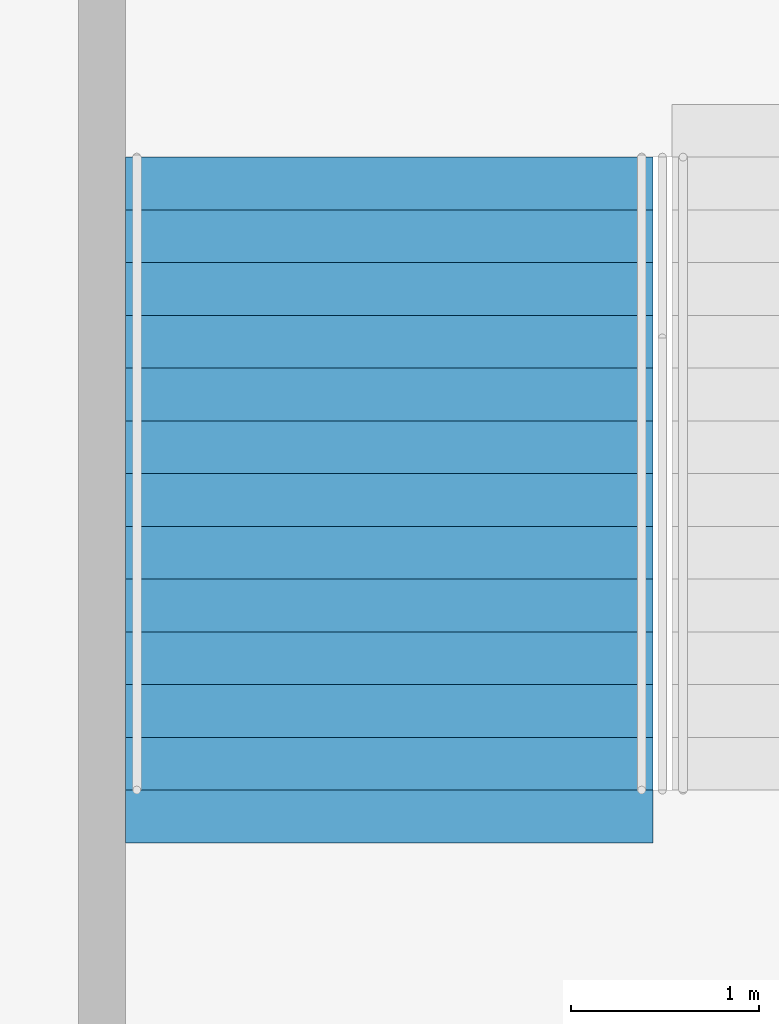
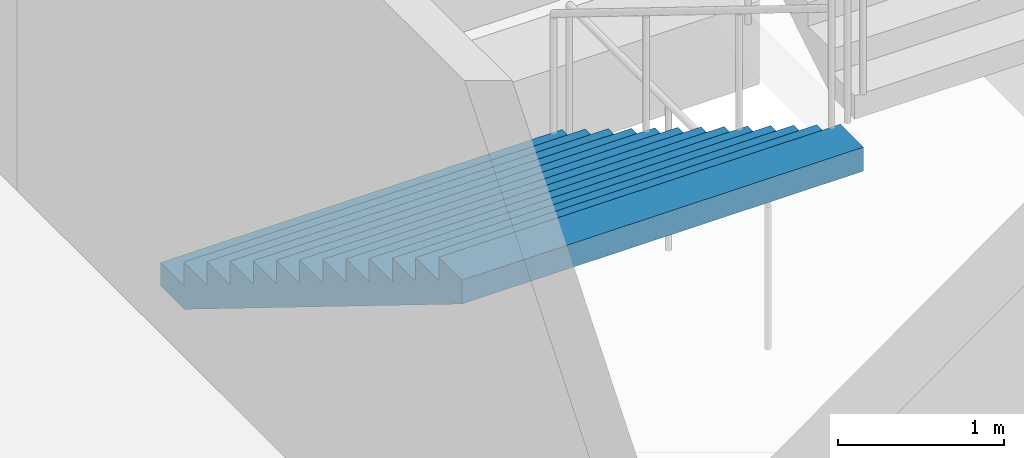
# One storey, part 120 of 199: 1 stair flight, 1 element without a shape of its own.
"""IFC4 building model written with IfcOpenShell, lengths in metres."""

from ifc_helpers import new_model, si_unit, direction, frame, origin, place, context, subcontext, project, spatial, faceted_brep, material, type_object, element, aggregate, save


model = new_model("IFC4")

# Units and contexts
model_context = context("Model", 3, precision=1e-05, world=origin(), true_north=direction((0.0, 1.0)))
body_context = subcontext(model_context, "Body", "Model", "MODEL_VIEW")
ifc_project = project(units=[si_unit("LENGTHUNIT", "METRE"), si_unit("AREAUNIT", "SQUARE_METRE"), si_unit("VOLUMEUNIT", "CUBIC_METRE"), si_unit("PLANEANGLEUNIT", "RADIAN"), si_unit("MASSUNIT", "GRAM", prefix="KILO")], contexts=[model_context])

# Site, building, storey
site_placement = place(None, origin())
site = spatial("IfcSite", under=ifc_project, at=site_placement, CompositionType="ELEMENT")
building_placement = place(site_placement, origin())
building = spatial("IfcBuilding", under=site, at=building_placement, Name="Ogive Plaza Stadium", CompositionType="ELEMENT")
storey_placement = place(building_placement, frame((0.0, 0.0, 4.5)))
storey = spatial("IfcBuildingStorey", under=building, at=storey_placement, Name="L01", CompositionType="ELEMENT", Elevation=4.5)

# Stair, stair flight
ifc_material_1 = material(Name="Concrete C40/50", Category="concrete")
stair_type = type_object("IfcStairType", Name="Exit stair", PredefinedType="STRAIGHT_RUN_STAIR", material=ifc_material_1)
stair_placement = place(storey_placement, origin())
stair = element("IfcStair", 1, at=stair_placement, inside=storey, type_object=stair_type, Name="Exit stair ST14A L01 to L02", PredefinedType="STRAIGHT_RUN_STAIR")
ifc_material_2 = material(Name="Concrete C40/50", Category="concrete")
stair_flight_type = type_object("IfcStairFlightType", Name="Exit stair flight", PredefinedType="STRAIGHT", material=ifc_material_2)
stair_flight_placement = place(storey_placement, frame((2.375, -94.85009765625, 0.0), z_axis=(0.0, 0.0, 1.0), x_axis=(0.0, -1.0, 0.0)))
stair_flight = element("IfcStairFlight", 2, at=stair_flight_placement, type_object=stair_flight_type, Name="ST14A flight 1", NumberOfRisers=13, NumberOfTreads=12, PredefinedType="STRAIGHT", RiserHeight=0.173076923, TreadLength=0.28, context=body_context, shape_type="Brep", body=[
    faceted_brep([(0.28515625, -1.39990234375, 0.0), (3.639892578125, -1.39990234375, 2.07373046875), (3.639892578125, -1.39990234375, 2.25), (3.360107421875, -1.39990234375, 2.25), (3.360107421875, -1.39990234375, 2.076904296875), (3.080078125, -1.39990234375, 2.076904296875), (3.080078125, -1.39990234375, 1.90380859375), (2.800048828125, -1.39990234375, 1.90380859375), (2.800048828125, -1.39990234375, 1.730712890625), (2.52001953125, -1.39990234375, 1.730712890625), (2.52001953125, -1.39990234375, 1.5576171875), (2.239990234375, -1.39990234375, 1.5576171875), (2.239990234375, -1.39990234375, 1.384521484375), (1.9599609375, -1.39990234375, 1.384521484375), (1.9599609375, -1.39990234375, 1.21142578125), (1.679931640625, -1.39990234375, 1.21142578125), (1.679931640625, -1.39990234375, 1.03857421875), (1.39990234375, -1.39990234375, 1.03857421875), (1.39990234375, -1.39990234375, 0.865478515625), (1.1201171875, -1.39990234375, 0.865478515625), (1.1201171875, -1.39990234375, 0.6923828125), (0.840087890625, -1.39990234375, 0.6923828125), (0.840087890625, -1.39990234375, 0.519287109375), (0.56005859375, -1.39990234375, 0.519287109375), (0.56005859375, -1.39990234375, 0.34619140625), (0.280029296875, -1.39990234375, 0.34619140625), (0.280029296875, -1.39990234375, 0.173095703125), (0.0, -1.39990234375, 0.173095703125), (0.0, -1.39990234375, 0.0), (0.0, 1.39990234375, 0.0), (0.0, 1.39990234375, 0.173095703125), (0.280029296875, 1.39990234375, 0.173095703125), (0.280029296875, 1.39990234375, 0.34619140625), (0.56005859375, 1.39990234375, 0.34619140625), (0.56005859375, 1.39990234375, 0.519287109375), (0.840087890625, 1.39990234375, 0.519287109375), (0.840087890625, 1.39990234375, 0.6923828125), (1.1201171875, 1.39990234375, 0.6923828125), (1.1201171875, 1.39990234375, 0.865478515625), (1.39990234375, 1.39990234375, 0.865478515625), (1.39990234375, 1.39990234375, 1.03857421875), (1.679931640625, 1.39990234375, 1.03857421875), (1.679931640625, 1.39990234375, 1.21142578125), (1.9599609375, 1.39990234375, 1.21142578125), (1.9599609375, 1.39990234375, 1.384521484375), (2.239990234375, 1.39990234375, 1.384521484375), (2.239990234375, 1.39990234375, 1.5576171875), (2.52001953125, 1.39990234375, 1.5576171875), (2.52001953125, 1.39990234375, 1.730712890625), (2.800048828125, 1.39990234375, 1.730712890625), (2.800048828125, 1.39990234375, 1.90380859375), (3.080078125, 1.39990234375, 1.90380859375), (3.080078125, 1.39990234375, 2.076904296875), (3.360107421875, 1.39990234375, 2.076904296875), (3.360107421875, 1.39990234375, 2.25), (3.639892578125, 1.39990234375, 2.25), (3.639892578125, 1.39990234375, 2.07373046875), (0.28515625, 1.39990234375, 0.0), (0.28515625, -1.0888671875, 0.0), (3.639892578125, -1.0888671875, 2.07373046875), (0.28515625, -0.77783203125, 0.0), (3.639892578125, -0.77783203125, 2.07373046875), (0.28515625, -0.466796875, 0.0), (3.639892578125, -0.466796875, 2.07373046875), (0.28515625, -0.155517578125, 0.0), (3.639892578125, -0.155517578125, 2.07373046875), (0.28515625, 0.155517578125, 0.0), (3.639892578125, 0.155517578125, 2.07373046875), (0.28515625, 0.466796875, 0.0), (3.639892578125, 0.466796875, 2.07373046875), (0.28515625, 0.77783203125, 0.0), (3.639892578125, 0.77783203125, 2.07373046875), (0.28515625, 1.0888671875, 0.0), (3.639892578125, 1.0888671875, 2.07373046875), (3.639892578125, -1.0888671875, 2.25), (3.639892578125, -0.77783203125, 2.25), (3.639892578125, -0.466796875, 2.25), (3.639892578125, -0.155517578125, 2.25), (3.639892578125, 0.155517578125, 2.25), (3.639892578125, 0.466796875, 2.25), (3.639892578125, 0.77783203125, 2.25), (3.639892578125, 1.0888671875, 2.25), (3.360107421875, -1.0888671875, 2.25), (3.360107421875, -0.77783203125, 2.25), (3.360107421875, -0.466796875, 2.25), (3.360107421875, -0.155517578125, 2.25), (3.360107421875, 0.155517578125, 2.25), (3.360107421875, 0.466796875, 2.25), (3.360107421875, 0.77783203125, 2.25), (3.360107421875, 1.0888671875, 2.25), (3.360107421875, -1.0888671875, 2.076904296875), (3.360107421875, -0.77783203125, 2.076904296875), (3.360107421875, -0.466796875, 2.076904296875), (3.360107421875, -0.155517578125, 2.076904296875), (3.360107421875, 0.155517578125, 2.076904296875), (3.360107421875, 0.466796875, 2.076904296875), (3.360107421875, 0.77783203125, 2.076904296875), (3.360107421875, 1.0888671875, 2.076904296875), (3.080078125, -1.0888671875, 2.076904296875), (3.080078125, -0.77783203125, 2.076904296875), (3.080078125, -0.466796875, 2.076904296875), (3.080078125, -0.155517578125, 2.076904296875), (3.080078125, 0.155517578125, 2.076904296875), (3.080078125, 0.466796875, 2.076904296875), (3.080078125, 0.77783203125, 2.076904296875), (3.080078125, 1.0888671875, 2.076904296875), (3.080078125, -1.0888671875, 1.90380859375), (3.080078125, -0.77783203125, 1.90380859375), (3.080078125, -0.466796875, 1.90380859375), (3.080078125, -0.155517578125, 1.90380859375), (3.080078125, 0.155517578125, 1.90380859375), (3.080078125, 0.466796875, 1.90380859375), (3.080078125, 0.77783203125, 1.90380859375), (3.080078125, 1.0888671875, 1.90380859375), (2.800048828125, -1.0888671875, 1.90380859375), (2.800048828125, -0.77783203125, 1.90380859375), (2.800048828125, -0.466796875, 1.90380859375), (2.800048828125, -0.155517578125, 1.90380859375), (2.800048828125, 0.155517578125, 1.90380859375), (2.800048828125, 0.466796875, 1.90380859375), (2.800048828125, 0.77783203125, 1.90380859375), (2.800048828125, 1.0888671875, 1.90380859375), (2.800048828125, -1.0888671875, 1.730712890625), (2.800048828125, -0.77783203125, 1.730712890625), (2.800048828125, -0.466796875, 1.730712890625), (2.800048828125, -0.155517578125, 1.730712890625), (2.800048828125, 0.155517578125, 1.730712890625), (2.800048828125, 0.466796875, 1.730712890625), (2.800048828125, 0.77783203125, 1.730712890625), (2.800048828125, 1.0888671875, 1.730712890625), (2.52001953125, -1.0888671875, 1.730712890625), (2.52001953125, -0.77783203125, 1.730712890625), (2.52001953125, -0.466796875, 1.730712890625), (2.52001953125, -0.155517578125, 1.730712890625), (2.52001953125, 0.155517578125, 1.730712890625), (2.52001953125, 0.466796875, 1.730712890625), (2.52001953125, 0.77783203125, 1.730712890625), (2.52001953125, 1.0888671875, 1.730712890625), (2.52001953125, -1.0888671875, 1.5576171875), (2.52001953125, -0.77783203125, 1.5576171875), (2.52001953125, -0.466796875, 1.5576171875), (2.52001953125, -0.155517578125, 1.5576171875), (2.52001953125, 0.155517578125, 1.5576171875), (2.52001953125, 0.466796875, 1.5576171875), (2.52001953125, 0.77783203125, 1.5576171875), (2.52001953125, 1.0888671875, 1.5576171875), (2.239990234375, -1.0888671875, 1.5576171875), (2.239990234375, -0.77783203125, 1.5576171875), (2.239990234375, -0.466796875, 1.5576171875), (2.239990234375, -0.155517578125, 1.5576171875), (2.239990234375, 0.155517578125, 1.5576171875), (2.239990234375, 0.466796875, 1.5576171875), (2.239990234375, 0.77783203125, 1.5576171875), (2.239990234375, 1.0888671875, 1.5576171875), (2.239990234375, -1.0888671875, 1.384521484375), (2.239990234375, -0.77783203125, 1.384521484375), (2.239990234375, -0.466796875, 1.384521484375), (2.239990234375, -0.155517578125, 1.384521484375), (2.239990234375, 0.155517578125, 1.384521484375), (2.239990234375, 0.466796875, 1.384521484375), (2.239990234375, 0.77783203125, 1.384521484375), (2.239990234375, 1.0888671875, 1.384521484375), (1.9599609375, -1.0888671875, 1.384521484375), (1.9599609375, -0.77783203125, 1.384521484375), (1.9599609375, -0.466796875, 1.384521484375), (1.9599609375, -0.155517578125, 1.384521484375), (1.9599609375, 0.155517578125, 1.384521484375), (1.9599609375, 0.466796875, 1.384521484375), (1.9599609375, 0.77783203125, 1.384521484375), (1.9599609375, 1.0888671875, 1.384521484375), (1.9599609375, -1.0888671875, 1.21142578125), (1.9599609375, -0.77783203125, 1.21142578125), (1.9599609375, -0.466796875, 1.21142578125), (1.9599609375, -0.155517578125, 1.21142578125), (1.9599609375, 0.155517578125, 1.21142578125), (1.9599609375, 0.466796875, 1.21142578125), (1.9599609375, 0.77783203125, 1.21142578125), (1.9599609375, 1.0888671875, 1.21142578125), (1.679931640625, -1.0888671875, 1.21142578125), (1.679931640625, -0.77783203125, 1.21142578125), (1.679931640625, -0.466796875, 1.21142578125), (1.679931640625, -0.155517578125, 1.21142578125), (1.679931640625, 0.155517578125, 1.21142578125), (1.679931640625, 0.466796875, 1.21142578125), (1.679931640625, 0.77783203125, 1.21142578125), (1.679931640625, 1.0888671875, 1.21142578125), (1.679931640625, -1.0888671875, 1.03857421875), (1.679931640625, -0.77783203125, 1.03857421875), (1.679931640625, -0.466796875, 1.03857421875), (1.679931640625, -0.155517578125, 1.03857421875), (1.679931640625, 0.155517578125, 1.03857421875), (1.679931640625, 0.466796875, 1.03857421875), (1.679931640625, 0.77783203125, 1.03857421875), (1.679931640625, 1.0888671875, 1.03857421875), (1.39990234375, -1.0888671875, 1.03857421875), (1.39990234375, -0.77783203125, 1.03857421875), (1.39990234375, -0.466796875, 1.03857421875), (1.39990234375, -0.155517578125, 1.03857421875), (1.39990234375, 0.155517578125, 1.03857421875), (1.39990234375, 0.466796875, 1.03857421875), (1.39990234375, 0.77783203125, 1.03857421875), (1.39990234375, 1.0888671875, 1.03857421875), (1.39990234375, -1.0888671875, 0.865478515625), (1.39990234375, -0.77783203125, 0.865478515625), (1.39990234375, -0.466796875, 0.865478515625), (1.39990234375, -0.155517578125, 0.865478515625), (1.39990234375, 0.155517578125, 0.865478515625), (1.39990234375, 0.466796875, 0.865478515625), (1.39990234375, 0.77783203125, 0.865478515625), (1.39990234375, 1.0888671875, 0.865478515625), (1.1201171875, -1.0888671875, 0.865478515625), (1.1201171875, -0.77783203125, 0.865478515625), (1.1201171875, -0.466796875, 0.865478515625), (1.1201171875, -0.155517578125, 0.865478515625), (1.1201171875, 0.155517578125, 0.865478515625), (1.1201171875, 0.466796875, 0.865478515625), (1.1201171875, 0.77783203125, 0.865478515625), (1.1201171875, 1.0888671875, 0.865478515625), (1.1201171875, -1.0888671875, 0.6923828125), (1.1201171875, -0.77783203125, 0.6923828125), (1.1201171875, -0.466796875, 0.6923828125), (1.1201171875, -0.155517578125, 0.6923828125), (1.1201171875, 0.155517578125, 0.6923828125), (1.1201171875, 0.466796875, 0.6923828125), (1.1201171875, 0.77783203125, 0.6923828125), (1.1201171875, 1.0888671875, 0.6923828125), (0.840087890625, -1.0888671875, 0.6923828125), (0.840087890625, -0.77783203125, 0.6923828125), (0.840087890625, -0.466796875, 0.6923828125), (0.840087890625, -0.155517578125, 0.6923828125), (0.840087890625, 0.155517578125, 0.6923828125), (0.840087890625, 0.466796875, 0.6923828125), (0.840087890625, 0.77783203125, 0.6923828125), (0.840087890625, 1.0888671875, 0.6923828125), (0.840087890625, -1.0888671875, 0.519287109375), (0.840087890625, -0.77783203125, 0.519287109375), (0.840087890625, -0.466796875, 0.519287109375), (0.840087890625, -0.155517578125, 0.519287109375), (0.840087890625, 0.155517578125, 0.519287109375), (0.840087890625, 0.466796875, 0.519287109375), (0.840087890625, 0.77783203125, 0.519287109375), (0.840087890625, 1.0888671875, 0.519287109375), (0.56005859375, -1.0888671875, 0.519287109375), (0.56005859375, -0.77783203125, 0.519287109375), (0.56005859375, -0.466796875, 0.519287109375), (0.56005859375, -0.155517578125, 0.519287109375), (0.56005859375, 0.155517578125, 0.519287109375), (0.56005859375, 0.466796875, 0.519287109375), (0.56005859375, 0.77783203125, 0.519287109375), (0.56005859375, 1.0888671875, 0.519287109375), (0.56005859375, -1.0888671875, 0.34619140625), (0.56005859375, -0.77783203125, 0.34619140625), (0.56005859375, -0.466796875, 0.34619140625), (0.56005859375, -0.155517578125, 0.34619140625), (0.56005859375, 0.155517578125, 0.34619140625), (0.56005859375, 0.466796875, 0.34619140625), (0.56005859375, 0.77783203125, 0.34619140625), (0.56005859375, 1.0888671875, 0.34619140625), (0.280029296875, -1.0888671875, 0.34619140625), (0.280029296875, -0.77783203125, 0.34619140625), (0.280029296875, -0.466796875, 0.34619140625), (0.280029296875, -0.155517578125, 0.34619140625), (0.280029296875, 0.155517578125, 0.34619140625), (0.280029296875, 0.466796875, 0.34619140625), (0.280029296875, 0.77783203125, 0.34619140625), (0.280029296875, 1.0888671875, 0.34619140625), (0.280029296875, -1.0888671875, 0.173095703125), (0.280029296875, -0.77783203125, 0.173095703125), (0.280029296875, -0.466796875, 0.173095703125), (0.280029296875, -0.155517578125, 0.173095703125), (0.280029296875, 0.155517578125, 0.173095703125), (0.280029296875, 0.466796875, 0.173095703125), (0.280029296875, 0.77783203125, 0.173095703125), (0.280029296875, 1.0888671875, 0.173095703125), (0.0, -1.0888671875, 0.173095703125), (0.0, -0.77783203125, 0.173095703125), (0.0, -0.466796875, 0.173095703125), (0.0, -0.155517578125, 0.173095703125), (0.0, 0.155517578125, 0.173095703125), (0.0, 0.466796875, 0.173095703125), (0.0, 0.77783203125, 0.173095703125), (0.0, 1.0888671875, 0.173095703125), (0.0, -1.0888671875, 0.0), (0.0, -0.77783203125, 0.0), (0.0, -0.466796875, 0.0), (0.0, -0.155517578125, 0.0), (0.0, 0.155517578125, 0.0), (0.0, 0.466796875, 0.0), (0.0, 0.77783203125, 0.0), (0.0, 1.0888671875, 0.0)], [[[0, 1, 2, 3, 4, 5, 6, 7, 8, 9, 10, 11, 12, 13, 14, 15, 16, 17, 18, 19, 20, 21, 22, 23, 24, 25, 26, 27, 28]], [[29, 30, 31, 32, 33, 34, 35, 36, 37, 38, 39, 40, 41, 42, 43, 44, 45, 46, 47, 48, 49, 50, 51, 52, 53, 54, 55, 56, 57]], [[0, 58, 59, 1]], [[58, 60, 61, 59]], [[60, 62, 63, 61]], [[62, 64, 65, 63]], [[64, 66, 67, 65]], [[66, 68, 69, 67]], [[68, 70, 71, 69]], [[70, 72, 73, 71]], [[72, 57, 56, 73]], [[1, 59, 74, 2]], [[59, 61, 75, 74]], [[61, 63, 76, 75]], [[63, 65, 77, 76]], [[65, 67, 78, 77]], [[67, 69, 79, 78]], [[69, 71, 80, 79]], [[71, 73, 81, 80]], [[73, 56, 55, 81]], [[2, 74, 82, 3]], [[74, 75, 83, 82]], [[75, 76, 84, 83]], [[76, 77, 85, 84]], [[77, 78, 86, 85]], [[78, 79, 87, 86]], [[79, 80, 88, 87]], [[80, 81, 89, 88]], [[81, 55, 54, 89]], [[3, 82, 90, 4]], [[82, 83, 91, 90]], [[83, 84, 92, 91]], [[84, 85, 93, 92]], [[85, 86, 94, 93]], [[86, 87, 95, 94]], [[87, 88, 96, 95]], [[88, 89, 97, 96]], [[89, 54, 53, 97]], [[4, 90, 98, 5]], [[90, 91, 99, 98]], [[91, 92, 100, 99]], [[92, 93, 101, 100]], [[93, 94, 102, 101]], [[94, 95, 103, 102]], [[95, 96, 104, 103]], [[96, 97, 105, 104]], [[97, 53, 52, 105]], [[5, 98, 106, 6]], [[98, 99, 107, 106]], [[99, 100, 108, 107]], [[100, 101, 109, 108]], [[101, 102, 110, 109]], [[102, 103, 111, 110]], [[103, 104, 112, 111]], [[104, 105, 113, 112]], [[105, 52, 51, 113]], [[6, 106, 114, 7]], [[106, 107, 115, 114]], [[107, 108, 116, 115]], [[108, 109, 117, 116]], [[109, 110, 118, 117]], [[110, 111, 119, 118]], [[111, 112, 120, 119]], [[112, 113, 121, 120]], [[113, 51, 50, 121]], [[7, 114, 122, 8]], [[114, 115, 123, 122]], [[115, 116, 124, 123]], [[116, 117, 125, 124]], [[117, 118, 126, 125]], [[118, 119, 127, 126]], [[119, 120, 128, 127]], [[120, 121, 129, 128]], [[121, 50, 49, 129]], [[8, 122, 130, 9]], [[122, 123, 131, 130]], [[123, 124, 132, 131]], [[124, 125, 133, 132]], [[125, 126, 134, 133]], [[126, 127, 135, 134]], [[127, 128, 136, 135]], [[128, 129, 137, 136]], [[129, 49, 48, 137]], [[9, 130, 138, 10]], [[130, 131, 139, 138]], [[131, 132, 140, 139]], [[132, 133, 141, 140]], [[133, 134, 142, 141]], [[134, 135, 143, 142]], [[135, 136, 144, 143]], [[136, 137, 145, 144]], [[137, 48, 47, 145]], [[10, 138, 146, 11]], [[138, 139, 147, 146]], [[139, 140, 148, 147]], [[140, 141, 149, 148]], [[141, 142, 150, 149]], [[142, 143, 151, 150]], [[143, 144, 152, 151]], [[144, 145, 153, 152]], [[145, 47, 46, 153]], [[11, 146, 154, 12]], [[146, 147, 155, 154]], [[147, 148, 156, 155]], [[148, 149, 157, 156]], [[149, 150, 158, 157]], [[150, 151, 159, 158]], [[151, 152, 160, 159]], [[152, 153, 161, 160]], [[153, 46, 45, 161]], [[12, 154, 162, 13]], [[154, 155, 163, 162]], [[155, 156, 164, 163]], [[156, 157, 165, 164]], [[157, 158, 166, 165]], [[158, 159, 167, 166]], [[159, 160, 168, 167]], [[160, 161, 169, 168]], [[161, 45, 44, 169]], [[13, 162, 170, 14]], [[162, 163, 171, 170]], [[163, 164, 172, 171]], [[164, 165, 173, 172]], [[165, 166, 174, 173]], [[166, 167, 175, 174]], [[167, 168, 176, 175]], [[168, 169, 177, 176]], [[169, 44, 43, 177]], [[14, 170, 178, 15]], [[170, 171, 179, 178]], [[171, 172, 180, 179]], [[172, 173, 181, 180]], [[173, 174, 182, 181]], [[174, 175, 183, 182]], [[175, 176, 184, 183]], [[176, 177, 185, 184]], [[177, 43, 42, 185]], [[15, 178, 186, 16]], [[178, 179, 187, 186]], [[179, 180, 188, 187]], [[180, 181, 189, 188]], [[181, 182, 190, 189]], [[182, 183, 191, 190]], [[183, 184, 192, 191]], [[184, 185, 193, 192]], [[185, 42, 41, 193]], [[16, 186, 194, 17]], [[186, 187, 195, 194]], [[187, 188, 196, 195]], [[188, 189, 197, 196]], [[189, 190, 198, 197]], [[190, 191, 199, 198]], [[191, 192, 200, 199]], [[192, 193, 201, 200]], [[193, 41, 40, 201]], [[17, 194, 202, 18]], [[194, 195, 203, 202]], [[195, 196, 204, 203]], [[196, 197, 205, 204]], [[197, 198, 206, 205]], [[198, 199, 207, 206]], [[199, 200, 208, 207]], [[200, 201, 209, 208]], [[201, 40, 39, 209]], [[18, 202, 210, 19]], [[202, 203, 211, 210]], [[203, 204, 212, 211]], [[204, 205, 213, 212]], [[205, 206, 214, 213]], [[206, 207, 215, 214]], [[207, 208, 216, 215]], [[208, 209, 217, 216]], [[209, 39, 38, 217]], [[19, 210, 218, 20]], [[210, 211, 219, 218]], [[211, 212, 220, 219]], [[212, 213, 221, 220]], [[213, 214, 222, 221]], [[214, 215, 223, 222]], [[215, 216, 224, 223]], [[216, 217, 225, 224]], [[217, 38, 37, 225]], [[20, 218, 226, 21]], [[218, 219, 227, 226]], [[219, 220, 228, 227]], [[220, 221, 229, 228]], [[221, 222, 230, 229]], [[222, 223, 231, 230]], [[223, 224, 232, 231]], [[224, 225, 233, 232]], [[225, 37, 36, 233]], [[21, 226, 234, 22]], [[226, 227, 235, 234]], [[227, 228, 236, 235]], [[228, 229, 237, 236]], [[229, 230, 238, 237]], [[230, 231, 239, 238]], [[231, 232, 240, 239]], [[232, 233, 241, 240]], [[233, 36, 35, 241]], [[22, 234, 242, 23]], [[234, 235, 243, 242]], [[235, 236, 244, 243]], [[236, 237, 245, 244]], [[237, 238, 246, 245]], [[238, 239, 247, 246]], [[239, 240, 248, 247]], [[240, 241, 249, 248]], [[241, 35, 34, 249]], [[23, 242, 250, 24]], [[242, 243, 251, 250]], [[243, 244, 252, 251]], [[244, 245, 253, 252]], [[245, 246, 254, 253]], [[246, 247, 255, 254]], [[247, 248, 256, 255]], [[248, 249, 257, 256]], [[249, 34, 33, 257]], [[24, 250, 258, 25]], [[250, 251, 259, 258]], [[251, 252, 260, 259]], [[252, 253, 261, 260]], [[253, 254, 262, 261]], [[254, 255, 263, 262]], [[255, 256, 264, 263]], [[256, 257, 265, 264]], [[257, 33, 32, 265]], [[25, 258, 266, 26]], [[258, 259, 267, 266]], [[259, 260, 268, 267]], [[260, 261, 269, 268]], [[261, 262, 270, 269]], [[262, 263, 271, 270]], [[263, 264, 272, 271]], [[264, 265, 273, 272]], [[265, 32, 31, 273]], [[26, 266, 274, 27]], [[266, 267, 275, 274]], [[267, 268, 276, 275]], [[268, 269, 277, 276]], [[269, 270, 278, 277]], [[270, 271, 279, 278]], [[271, 272, 280, 279]], [[272, 273, 281, 280]], [[273, 31, 30, 281]], [[27, 274, 282, 28]], [[274, 275, 283, 282]], [[275, 276, 284, 283]], [[276, 277, 285, 284]], [[277, 278, 286, 285]], [[278, 279, 287, 286]], [[279, 280, 288, 287]], [[280, 281, 289, 288]], [[281, 30, 29, 289]], [[28, 282, 58, 0]], [[282, 283, 60, 58]], [[283, 284, 62, 60]], [[284, 285, 64, 62]], [[285, 286, 66, 64]], [[286, 287, 68, 66]], [[287, 288, 70, 68]], [[288, 289, 72, 70]], [[289, 29, 57, 72]]]),
])
aggregate(stair, [stair_flight])

save(model, "model.ifc")
